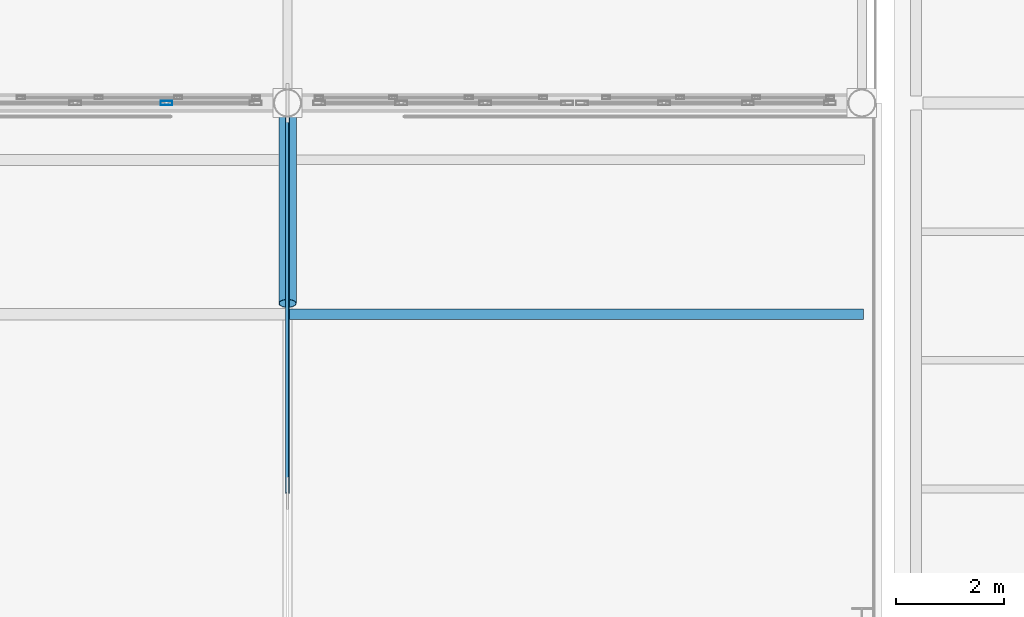
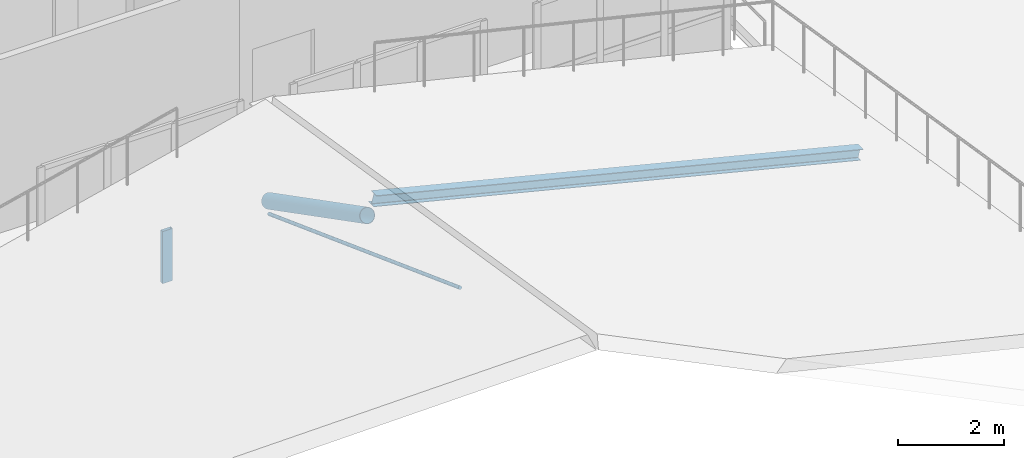
# One storey, part 50 of 120: 4 members, 1 element without a shape of its own.
"""IFC4 building model written with IfcOpenShell, lengths in metres."""

from ifc_helpers import new_model, si_unit, direction, frame, origin, origin_2d, place, context, subcontext, project, spatial, hollow_rectangle, circle, hollow_circle, i_section, extrude, material, material_profile, profile_set, type_object, element, aggregate, save


model = new_model("IFC4")

# Units and contexts
model_context = context("Model", 3, precision=1e-05, world=origin(), true_north=direction((0.0, 1.0)))
body_context = subcontext(model_context, "Body", "Model", "MODEL_VIEW")
ifc_project = project(units=[si_unit("LENGTHUNIT", "METRE"), si_unit("AREAUNIT", "SQUARE_METRE"), si_unit("VOLUMEUNIT", "CUBIC_METRE"), si_unit("PLANEANGLEUNIT", "RADIAN"), si_unit("MASSUNIT", "GRAM", prefix="KILO")], contexts=[model_context])

# Site, building, storey
site_placement = place(None, origin())
site = spatial("IfcSite", under=ifc_project, at=site_placement, CompositionType="ELEMENT")
building_placement = place(site_placement, origin())
building = spatial("IfcBuilding", under=site, at=building_placement, Name="Caurita Quay Ferry Terminal", CompositionType="ELEMENT")
storey_placement = place(building_placement, frame((0.0, 0.0, 9.89990234375)))
storey = spatial("IfcBuildingStorey", under=building, at=storey_placement, Name="L02", CompositionType="ELEMENT", Elevation=9.89990234375)

# Curtain wall, member
ifc_material_1 = material(Name="Laminated solar-control insulated glass", Category="glass")
curtain_wall_type = type_object("IfcCurtainWallType", Name="CW-SYS-06", PredefinedType="NOTDEFINED", material=ifc_material_1)
curtain_wall_placement = place(storey_placement, origin())
curtain_wall = element("IfcCurtainWall", 1, at=curtain_wall_placement, inside=storey, type_object=curtain_wall_type, Name="Folded Roof Clerestory FB-06-N2", PredefinedType="NOTDEFINED")
ifc_material_2 = material(Name="Anodized aluminium 6063-T6", Category="aluminium")
ifc_material_profile_1 = material_profile(ifc_material_2, hollow_rectangle(XDim=0.074951171875, YDim=0.219970703125, WallThickness=0.00390625, at=origin_2d()), Name="ALU-MUL-75X220")
ifc_profile_set_1 = profile_set([ifc_material_profile_1], Name="Anodized aluminium 6063-T6")
member_type_1 = type_object("IfcMemberType", Name="CW-MUL-220", PredefinedType="MULLION", material=ifc_profile_set_1)
member_1_placement = place(storey_placement, frame((118.966796875, 62.699951171875, -0.218994140625), z_axis=(0.0, 0.0, 1.0), x_axis=(0.0, 1.0, 0.0)))
member_1 = element("IfcMember", 2, at=member_1_placement, type_object=member_type_1, Name="CW-CLR-046 Mullion 3", PredefinedType="MULLION", context=body_context, shape_type="SweptSolid", body=[
    extrude(hollow_rectangle(XDim=0.074951171875, YDim=0.219970703125, WallThickness=0.00390625, at=origin_2d()), origin(), (0.0, 0.0, 1.0), 1.2001953125),
])
aggregate(curtain_wall, [member_1])

# Members
ifc_material_3 = material(Name="Structural stay cable steel ASTM A586", Category="steel")
ifc_material_profile_2 = material_profile(ifc_material_3, circle(Radius=0.0380859375, at=origin_2d()), Name="CABLE-D76")
ifc_profile_set_2 = profile_set([ifc_material_profile_2], Name="Structural stay cable steel ASTM A586")
member_type_2 = type_object("IfcMemberType", Name="MEM-CBL-76", PredefinedType="USERDEFINED", material=ifc_profile_set_2)
member_2_placement = place(storey_placement, frame((121.199951171875, 62.699951171875, 0.550048828125), z_axis=(0.0, -0.937754897707, 0.347297785519), x_axis=(1.0, 0.0, 0.0)))
element("IfcMember", 3, at=member_2_placement, inside=storey, type_object=member_type_2, Name="Folded Roof Stay Cable V2-04-N1", ObjectType="STAY CABLE", PredefinedType="USERDEFINED", context=body_context, shape_type="SweptSolid", body=[
    extrude(circle(Radius=0.0380859375, at=origin_2d()), origin(), (0.0, 0.0, 1.0), 7.677978515625),
])
ifc_material_4 = material(Name="Structural steel ASTM A992 Gr. 50", Category="steel")
ifc_material_profile_3 = material_profile(ifc_material_4, i_section(OverallWidth=0.2021484375, OverallDepth=0.246337890625, WebThickness=0.00732421875, FlangeThickness=0.010986328125, FilletRadius=0.01025390625, at=origin_2d()), Name="W10X33")
ifc_profile_set_3 = profile_set([ifc_material_profile_3], Name="Structural steel ASTM A992 Gr. 50")
member_type_3 = type_object("IfcMemberType", Name="MEM-PUR-10", PredefinedType="PURLIN", material=ifc_profile_set_3)
member_3_placement = place(storey_placement, frame((121.199951171875, 58.800048828125, 3.26416015625), z_axis=(0.970355100302, 0.0, -0.241683634775), x_axis=(0.0, 1.0, 0.0)))
element("IfcMember", 4, at=member_3_placement, inside=storey, type_object=member_type_3, Name="Folded Roof Purlin PUR-119", PredefinedType="PURLIN", context=body_context, shape_type="SweptSolid", body=[
    extrude(i_section(OverallWidth=0.2021484375, OverallDepth=0.246337890625, WebThickness=0.00732421875, FlangeThickness=0.010986328125, FilletRadius=0.01025390625, at=origin_2d()), origin(), (0.0, 0.0, 1.0), 10.923828125),
])
ifc_material_5 = material(Name="Hollow structural steel ASTM A500 Gr. C", Category="steel")
ifc_material_profile_4 = material_profile(ifc_material_5, hollow_circle(Radius=0.161865234375, WallThickness=0.0087890625, at=origin_2d()), Name="HSS12.750X0.375")
ifc_profile_set_4 = profile_set([ifc_material_profile_4], Name="Hollow structural steel ASTM A500 Gr. C")
member_type_4 = type_object("IfcMemberType", Name="MEM-STR-12", PredefinedType="STRUT", material=ifc_profile_set_4)
member_4_placement = place(storey_placement, frame((121.199951171875, 62.699951171875, 0.85009765625), z_axis=(0.0, -0.888929687657, 0.458043677395), x_axis=(1.0, 0.0, 0.0)))
element("IfcMember", 5, at=member_4_placement, inside=storey, type_object=member_type_4, Name="Mast Tree-Strut V2-04-S2", PredefinedType="STRUT", context=body_context, shape_type="SweptSolid", body=[
    extrude(hollow_circle(Radius=0.161865234375, WallThickness=0.0087890625, at=origin_2d()), origin(), (0.0, 0.0, 1.0), 4.162353515625),
])

save(model, "model.ifc")
